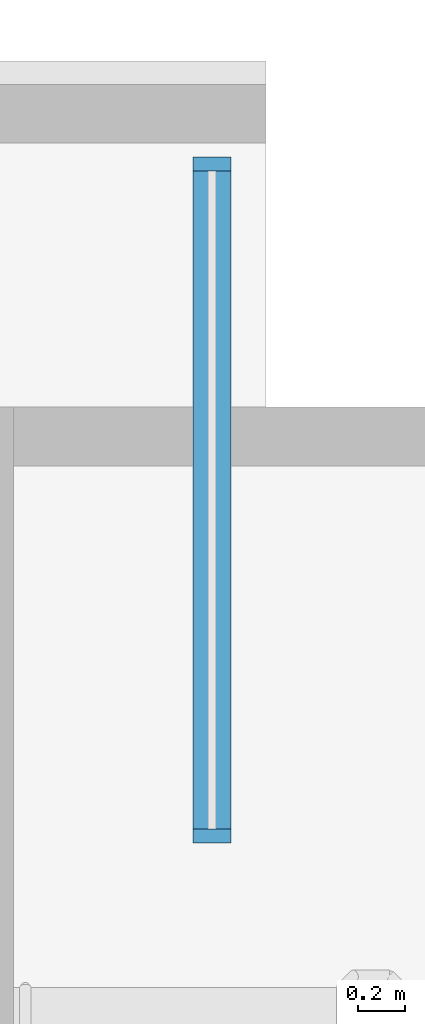
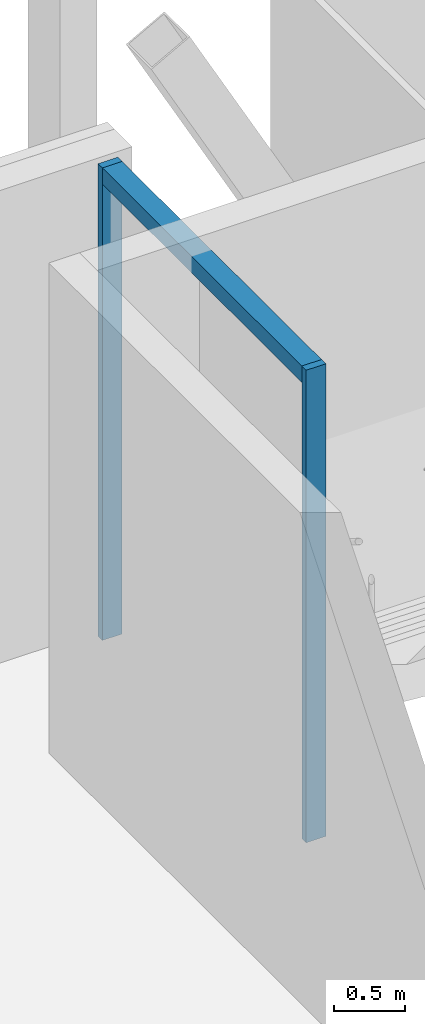
# One storey, part 21 of 28: 3 members, 1 element without a shape of its own.
"""IFC4 building model written with IfcOpenShell, lengths in metres."""

from ifc_helpers import new_model, si_unit, direction, frame, origin, origin_2d, place, context, subcontext, project, spatial, rectangle, extrude, material, material_profile, profile_set, type_object, element, aggregate, save


model = new_model("IFC4")

# Units and contexts
model_context = context("Model", 3, precision=1e-05, world=origin(), true_north=direction((0.0, 1.0)))
body_context = subcontext(model_context, "Body", "Model", "MODEL_VIEW")
ifc_project = project(units=[si_unit("LENGTHUNIT", "METRE"), si_unit("AREAUNIT", "SQUARE_METRE"), si_unit("VOLUMEUNIT", "CUBIC_METRE"), si_unit("PLANEANGLEUNIT", "RADIAN"), si_unit("MASSUNIT", "GRAM", prefix="KILO")], contexts=[model_context])

# Site, building, storey
site_placement = place(None, origin())
site = spatial("IfcSite", under=ifc_project, at=site_placement, CompositionType="ELEMENT")
building_placement = place(site_placement, origin())
building = spatial("IfcBuilding", under=site, at=building_placement, Name="Bicima Exchange Tower", CompositionType="ELEMENT")
storey_placement = place(building_placement, frame((0.0, 0.0, 241.39990234375)))
storey = spatial("IfcBuildingStorey", under=building, at=storey_placement, Name="L54", CompositionType="ELEMENT", Elevation=241.39990234375)

# Curtain wall, members
ifc_material = material(Name="Anodised bronze aluminium", Category="aluminium")
curtain_wall_type = type_object("IfcCurtainWallType", Name="Front glass wall", PredefinedType="NOTDEFINED", material=ifc_material)
curtain_wall_placement = place(storey_placement, origin())
curtain_wall = element("IfcCurtainWall", 1, at=curtain_wall_placement, inside=storey, type_object=curtain_wall_type, Name="Front glass wall L54 run 2", PredefinedType="NOTDEFINED")
ifc_material_profile_1 = material_profile(ifc_material, rectangle(XDim=0.159912109375, YDim=0.06005859375, at=origin_2d()))
ifc_profile_set_1 = profile_set([ifc_material_profile_1], Name="Anodised bronze aluminium")
member_type_1 = type_object("IfcMemberType", Name="Front glass wall mullion 60 x 160", PredefinedType="MULLION", material=ifc_profile_set_1)
member_1_placement = place(storey_placement, frame((29.77001953125, -6.199951171875, 0.0), z_axis=(0.0, 0.0, 1.0), x_axis=(-1.0, 0.0, 0.0)))
member_1 = element("IfcMember", 2, at=member_1_placement, type_object=member_type_1, Name="Front glass wall mullion 1", PredefinedType="MULLION", context=body_context, shape_type="SweptSolid", body=[
    extrude(rectangle(XDim=0.159912109375, YDim=0.06005859375, at=origin_2d()), origin(), (0.0, 0.0, 1.0), 4.050048828125),
])
member_2_placement = place(storey_placement, frame((29.77001953125, -3.340087890625, 0.0), z_axis=(0.0, 0.0, 1.0), x_axis=(-1.0, 0.0, 0.0)))
member_2 = element("IfcMember", 3, at=member_2_placement, type_object=member_type_1, Name="Front glass wall mullion 2", PredefinedType="MULLION", context=body_context, shape_type="SweptSolid", body=[
    extrude(rectangle(XDim=0.159912109375, YDim=0.06005859375, at=origin_2d()), origin(), (0.0, 0.0, 1.0), 4.050048828125),
])
ifc_material_profile_2 = material_profile(ifc_material, rectangle(XDim=0.159912109375, YDim=0.139892578125, at=origin_2d()))
ifc_profile_set_2 = profile_set([ifc_material_profile_2], Name="Anodised bronze aluminium")
member_type_2 = type_object("IfcMemberType", Name="Front glass wall transom 140 x 160", PredefinedType="USERDEFINED", material=ifc_profile_set_2)
member_3_placement = place(storey_placement, frame((29.77001953125, -6.169921875, 3.97998046875), z_axis=(0.0, 1.0, 0.0), x_axis=(-1.0, 0.0, 0.0)))
member_3 = element("IfcMember", 4, at=member_3_placement, type_object=member_type_2, Name="Front glass wall transom 1.1", ObjectType="TRANSOM", PredefinedType="USERDEFINED", context=body_context, shape_type="SweptSolid", body=[
    extrude(rectangle(XDim=0.159912109375, YDim=0.139892578125, at=origin_2d()), origin(), (0.0, 0.0, 1.0), 2.7998046875),
])
aggregate(curtain_wall, [member_1, member_2, member_3])

save(model, "model.ifc")
